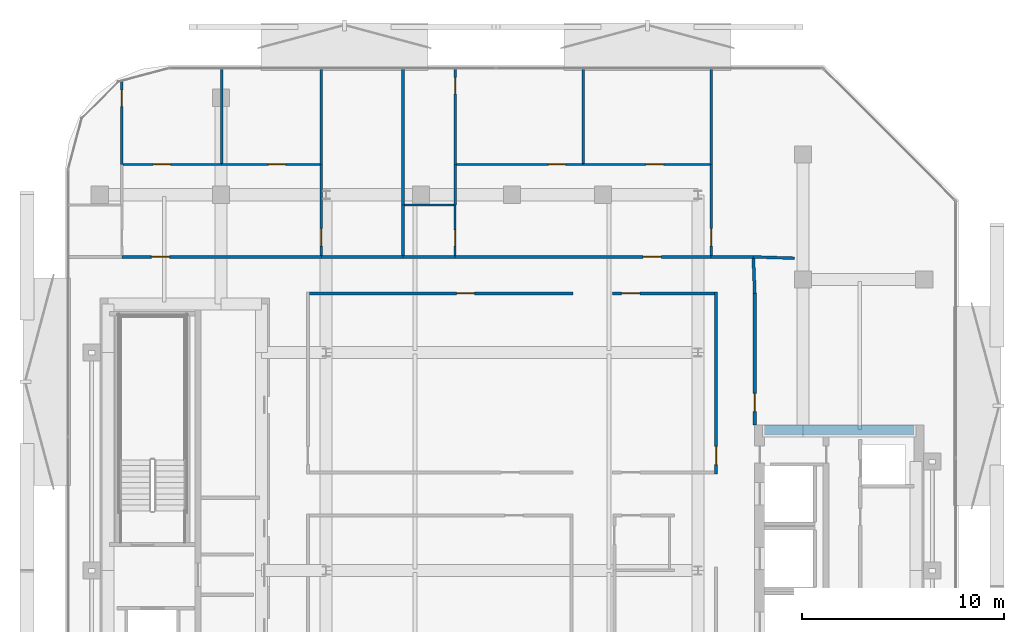
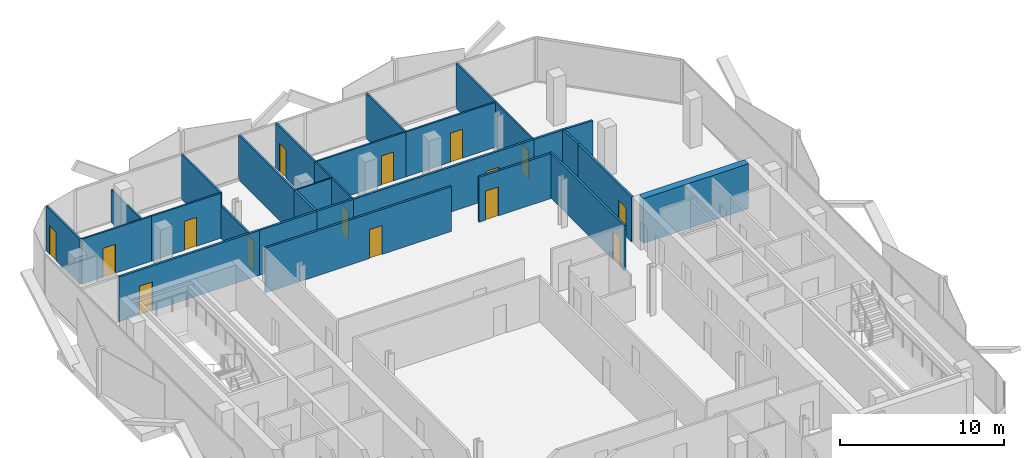
# One storey, part 6 of 15: 29 walls, 15 doors, 15 openings.
"""IFC4 building model written with IfcOpenShell, lengths in metres."""

from ifc_helpers import new_model, si_unit, direction, frame, frame_2d, origin, place, context, subcontext, project, spatial, rectangle, extrude, material, layer, layer_set, type_object, element, fill, save


model = new_model("IFC4")

# Units and contexts
model_context = context("Model", 3, precision=1e-05, world=origin(), true_north=direction((0.0, 1.0)))
body_context = subcontext(model_context, "Body", "Model", "MODEL_VIEW")
ifc_project = project(units=[si_unit("LENGTHUNIT", "METRE"), si_unit("AREAUNIT", "SQUARE_METRE"), si_unit("VOLUMEUNIT", "CUBIC_METRE"), si_unit("PLANEANGLEUNIT", "RADIAN"), si_unit("MASSUNIT", "GRAM", prefix="KILO")], contexts=[model_context])

# Site, building, storey
site_placement = place(None, origin())
site = spatial("IfcSite", under=ifc_project, at=site_placement, CompositionType="ELEMENT")
building_placement = place(site_placement, origin())
building = spatial("IfcBuilding", under=site, at=building_placement, Name="Khairoan Windgate Tower", CompositionType="ELEMENT")
storey_placement = place(building_placement, frame((0.0, 0.0, 251.199951171875)))
storey = spatial("IfcBuildingStorey", under=building, at=storey_placement, Name="L59", CompositionType="ELEMENT", Elevation=251.199951171875)

# Wall
ifc_material_1 = material(Name="Moisture-Resistant Gypsum Partition", Category="gypsum")
ifc_layer_1 = layer(ifc_material_1, 0.10009765625, Name="Moisture-Resistant Gypsum Partition")
ifc_layer_set_1 = layer_set([ifc_layer_1], Name="Moisture-Resistant Gypsum Partition")
wall_type_1 = type_object("IfcWallType", Name="Bathroom Wet-Area Partition Wall", PredefinedType="PARTITIONING", material=ifc_layer_set_1)
wall_1_placement = place(storey_placement, frame((-5.330078125, 18.10009765625, 0.0), z_axis=(0.0, 0.0, 1.0), x_axis=(1.0, 0.0, 0.0)))
element("IfcWall", 1, at=wall_1_placement, inside=storey, type_object=wall_type_1, Name="L59 Interior Partition 051", PredefinedType="PARTITIONING", context=body_context, shape_type="SweptSolid", body=[
    extrude(rectangle(XDim=2.469970703125, YDim=0.10009765625, at=frame_2d((1.23486328125, 0.0))), origin(), (0.0, 0.0, 1.0), 3.340087890625),
])

# Wall, opening, door
wall_2_placement = place(storey_placement, frame((-2.81005859375, 15.60009765625, 0.0), z_axis=(0.0, 0.0, 1.0), x_axis=(0.0, 1.0, 0.0)))
wall_2 = element("IfcWall", 2, at=wall_2_placement, inside=storey, type_object=wall_type_1, Name="L59 Interior Partition 052", PredefinedType="PARTITIONING", context=body_context, shape_type="SweptSolid", body=[
    extrude(rectangle(XDim=2.5, YDim=0.10009765625, at=frame_2d((1.25, 0.0))), origin(), (0.0, 0.0, 1.0), 3.340087890625),
])
opening_1_placement = place(wall_2_placement, frame((0.4599609375, 0.0, 0.0)))
opening_1 = element("IfcOpeningElement", 3, at=opening_1_placement, cuts=wall_2, Name="Opening ID-BTH", PredefinedType="OPENING", context=body_context, shape_type="SweptSolid", body=[
    extrude(rectangle(XDim=0.800048828125, YDim=2.10009765625, at=frame_2d((0.39990234375, 1.050048828125))), frame((0.0, 0.06005859375, 0.0), z_axis=(0.0, -1.0, 0.0), x_axis=(1.0, 0.0, 0.0)), (0.0, 0.0, 1.0), 0.1201171875),
])
ifc_material_2 = material(Name="Teak Veneer Timber Leaf", Category="wood")
door_type_1 = type_object("IfcDoorType", Name="Internal Bathroom Door ID-BTH 800x2100", OperationType="NOTDEFINED", PredefinedType="DOOR", material=ifc_material_2)
door_1_placement = place(opening_1_placement, origin())
door_1 = element("IfcDoor", 4, at=door_1_placement, inside=storey, type_object=door_type_1, Name="L59 L59-38-L59-40 Door", OperationType="SINGLE_SWING_LEFT", OverallHeight=2.10009765625, OverallWidth=0.800048828125, PredefinedType="DOOR", context=body_context, shape_type="SweptSolid", body=[
    extrude(rectangle(XDim=0.800048828125, YDim=2.10009765625, at=frame_2d((0.39990234375, 1.050048828125))), frame((0.0, 0.02490234375, 0.0), z_axis=(0.0, -1.0, 0.0), x_axis=(1.0, 0.0, 0.0)), (0.0, 0.0, 1.0), 0.050048828125),
])
fill(opening_1, door_1)

# Walls
ifc_material_3 = material(Name="Acoustic Fire-Rated Gypsum Partition", Category="gypsum")
ifc_layer_2 = layer(ifc_material_3, 0.139892578125, Name="Acoustic Fire-Rated Gypsum Partition")
ifc_layer_set_2 = layer_set([ifc_layer_2], Name="Acoustic Fire-Rated Gypsum Partition")
wall_type_2 = type_object("IfcWallType", Name="Inter-Tenancy Compartment Wall", PredefinedType="PARTITIONING", material=ifc_layer_set_2)
wall_3_placement = place(storey_placement, frame((-5.39990234375, 15.60009765625, 0.0), z_axis=(0.0, 0.0, 1.0), x_axis=(0.0, 1.0, 0.0)))
element("IfcWall", 5, at=wall_3_placement, inside=storey, type_object=wall_type_2, Name="L59 Interior Partition 048", PredefinedType="PARTITIONING", context=body_context, shape_type="SweptSolid", body=[
    extrude(rectangle(XDim=2.5, YDim=0.139892578125, at=frame_2d((1.25, 0.0))), origin(), (0.0, 0.0, 1.0), 3.340087890625),
])
wall_4_placement = place(storey_placement, frame((-5.39990234375, 18.10009765625, 0.0), z_axis=(0.0, 0.0, 1.0), x_axis=(0.0, 1.0, 0.0)))
element("IfcWall", 6, at=wall_4_placement, inside=storey, type_object=wall_type_2, Name="L59 Interior Partition 049", PredefinedType="PARTITIONING", context=body_context, shape_type="SweptSolid", body=[
    extrude(rectangle(XDim=6.7548828125, YDim=0.139892578125, at=frame_2d((3.37744140625, 0.0))), origin(), (0.0, 0.0, 1.0), 3.340087890625),
])
wall_5_placement = place(storey_placement, frame((11.93994140625, 15.52490234375, 0.0), z_axis=(0.0, 0.0, 1.0), x_axis=(0.999493701671, -0.031817295912, 0.0)))
element("IfcWall", 7, at=wall_5_placement, inside=storey, type_object=wall_type_2, Name="L59 Interior Partition 059", PredefinedType="PARTITIONING", context=body_context, shape_type="SweptSolid", body=[
    extrude(rectangle(XDim=2.041015625, YDim=0.139892578125, at=frame_2d((1.0205078125, 0.0))), origin(), (0.0, 0.0, 1.0), 3.340087890625),
])

# Wall, opening, door
ifc_material_4 = material(Name="Gypsum Stud Partition", Category="gypsum")
ifc_layer_3 = layer(ifc_material_4, 0.1201171875, Name="Gypsum Stud Partition")
ifc_layer_set_3 = layer_set([ifc_layer_3], Name="Gypsum Stud Partition")
wall_type_3 = type_object("IfcWallType", Name="Internal Room Partition Wall", PredefinedType="PARTITIONING", material=ifc_layer_set_3)
wall_6_placement = place(storey_placement, frame((-19.31005859375, 20.10009765625, 0.0), z_axis=(0.0, 0.0, 1.0), x_axis=(0.0, 1.0, 0.0)))
wall_6 = element("IfcWall", 8, at=wall_6_placement, inside=storey, type_object=wall_type_3, Name="L59 Interior Partition 043", PredefinedType="PARTITIONING", context=body_context, shape_type="SweptSolid", body=[
    extrude(rectangle(XDim=4.134521484375, YDim=0.1201171875, at=frame_2d((2.0673828125, 0.0))), origin(), (0.0, 0.0, 1.0), 3.340087890625),
])
opening_2_placement = place(wall_6_placement, frame((2.874755859375, 0.0, 0.0)))
opening_2 = element("IfcOpeningElement", 9, at=opening_2_placement, cuts=wall_6, Name="Opening ID-BTH", PredefinedType="OPENING", context=body_context, shape_type="SweptSolid", body=[
    extrude(rectangle(XDim=0.800048828125, YDim=2.10009765625, at=frame_2d((0.39990234375, 1.050048828125))), frame((0.0, 0.070068359375, 0.0), z_axis=(0.0, -1.0, 0.0), x_axis=(1.0, 0.0, 0.0)), (0.0, 0.0, 1.0), 0.14013671875),
])
door_2_placement = place(opening_2_placement, origin())
door_2 = element("IfcDoor", 10, at=door_2_placement, inside=storey, type_object=door_type_1, Name="L59 L59-33-L59-36 Door", OperationType="SINGLE_SWING_RIGHT", OverallHeight=2.10009765625, OverallWidth=0.800048828125, PredefinedType="DOOR", context=body_context, shape_type="SweptSolid", body=[
    extrude(rectangle(XDim=0.800048828125, YDim=2.10009765625, at=frame_2d((0.39990234375, 1.050048828125))), frame((0.0, 0.02490234375, 0.0), z_axis=(0.0, -1.0, 0.0), x_axis=(1.0, 0.0, 0.0)), (0.0, 0.0, 1.0), 0.050048828125),
])
fill(opening_2, door_2)

wall_7_placement = place(storey_placement, frame((-9.43994140625, 15.60009765625, 0.0), z_axis=(0.0, 0.0, 1.0), x_axis=(0.0, 1.0, 0.0)))
wall_7 = element("IfcWall", 11, at=wall_7_placement, inside=storey, type_object=wall_type_3, Name="L59 Interior Partition 044", PredefinedType="PARTITIONING", context=body_context, shape_type="SweptSolid", body=[
    extrude(rectangle(XDim=4.5, YDim=0.1201171875, at=frame_2d((2.25, 0.0))), origin(), (0.0, 0.0, 1.0), 2.43994140625),
])
opening_3_placement = place(wall_7_placement, frame((0.4599609375, 0.0, 0.0)))
opening_3 = element("IfcOpeningElement", 12, at=opening_3_placement, cuts=wall_7, Name="Opening ID-RM", PredefinedType="OPENING", context=body_context, shape_type="SweptSolid", body=[
    extrude(rectangle(XDim=0.860107421875, YDim=2.14990234375, at=frame_2d((0.43017578125, 1.074951171875))), frame((0.0, 0.070068359375, 0.0), z_axis=(0.0, -1.0, 0.0), x_axis=(1.0, 0.0, 0.0)), (0.0, 0.0, 1.0), 0.14013671875),
])
ifc_material_5 = material(Name="Teak Veneer Timber Leaf", Category="wood")
door_type_2 = type_object("IfcDoorType", Name="Internal Bedroom and Office Door ID-RM 860x2150", OperationType="NOTDEFINED", PredefinedType="DOOR", material=ifc_material_5)
door_3_placement = place(opening_3_placement, origin())
door_3 = element("IfcDoor", 13, at=door_3_placement, inside=storey, type_object=door_type_2, Name="L59 L59-34-L59-35 Door", OperationType="SINGLE_SWING_RIGHT", OverallHeight=2.14990234375, OverallWidth=0.860107421875, PredefinedType="DOOR", context=body_context, shape_type="SweptSolid", body=[
    extrude(rectangle(XDim=0.860107421875, YDim=2.14990234375, at=frame_2d((0.43017578125, 1.074951171875))), frame((0.0, 0.02490234375, 0.0), z_axis=(0.0, -1.0, 0.0), x_axis=(1.0, 0.0, 0.0)), (0.0, 0.0, 1.0), 0.050048828125),
])
fill(opening_3, door_3)

wall_8_placement = place(storey_placement, frame((-19.25, 20.10009765625, 0.0), z_axis=(0.0, 0.0, 1.0), x_axis=(1.0, 0.0, 0.0)))
wall_8 = element("IfcWall", 14, at=wall_8_placement, inside=storey, type_object=wall_type_3, Name="L59 Interior Partition 045", PredefinedType="PARTITIONING", context=body_context, shape_type="SweptSolid", body=[
    extrude(rectangle(XDim=4.875, YDim=0.1201171875, at=frame_2d((2.4375, 0.0))), origin(), (0.0, 0.0, 1.0), 3.340087890625),
])
opening_4_placement = place(wall_8_placement, frame((1.49169921875, 0.0, 0.0)))
opening_4 = element("IfcOpeningElement", 15, at=opening_4_placement, cuts=wall_8, Name="Opening ID-RM", PredefinedType="OPENING", context=body_context, shape_type="SweptSolid", body=[
    extrude(rectangle(XDim=0.860107421875, YDim=2.14990234375, at=frame_2d((0.43017578125, 1.074951171875))), frame((0.0, 0.070068359375, 0.0), z_axis=(0.0, -1.0, 0.0), x_axis=(1.0, 0.0, 0.0)), (0.0, 0.0, 1.0), 0.14013671875),
])
door_4_placement = place(opening_4_placement, origin())
door_4 = element("IfcDoor", 16, at=door_4_placement, inside=storey, type_object=door_type_2, Name="L59 L59-34-L59-36 Door", OperationType="SINGLE_SWING_LEFT", OverallHeight=2.14990234375, OverallWidth=0.860107421875, PredefinedType="DOOR", context=body_context, shape_type="SweptSolid", body=[
    extrude(rectangle(XDim=0.860107421875, YDim=2.14990234375, at=frame_2d((0.43017578125, 1.074951171875))), frame((0.0, 0.02490234375, 0.0), z_axis=(0.0, -1.0, 0.0), x_axis=(1.0, 0.0, 0.0)), (0.0, 0.0, 1.0), 0.050048828125),
])
fill(opening_4, door_4)

wall_9_placement = place(storey_placement, frame((-14.375, 20.10009765625, 0.0), z_axis=(0.0, 0.0, 1.0), x_axis=(1.0, 0.0, 0.0)))
wall_9 = element("IfcWall", 17, at=wall_9_placement, inside=storey, type_object=wall_type_3, Name="L59 Interior Partition 046", PredefinedType="PARTITIONING", context=body_context, shape_type="SweptSolid", body=[
    extrude(rectangle(XDim=4.875, YDim=0.1201171875, at=frame_2d((2.4375, 0.0))), origin(), (0.0, 0.0, 1.0), 3.340087890625),
])
opening_5_placement = place(wall_9_placement, frame((2.31689453125, 0.0, 0.0)))
opening_5 = element("IfcOpeningElement", 18, at=opening_5_placement, cuts=wall_9, Name="Opening ID-RM", PredefinedType="OPENING", context=body_context, shape_type="SweptSolid", body=[
    extrude(rectangle(XDim=0.860107421875, YDim=2.14990234375, at=frame_2d((0.43017578125, 1.074951171875))), frame((0.0, 0.070068359375, 0.0), z_axis=(0.0, -1.0, 0.0), x_axis=(1.0, 0.0, 0.0)), (0.0, 0.0, 1.0), 0.14013671875),
])
door_5_placement = place(opening_5_placement, origin())
door_5 = element("IfcDoor", 19, at=door_5_placement, inside=storey, type_object=door_type_2, Name="L59 L59-34-L59-37 Door", OperationType="SINGLE_SWING_RIGHT", OverallHeight=2.14990234375, OverallWidth=0.860107421875, PredefinedType="DOOR", context=body_context, shape_type="SweptSolid", body=[
    extrude(rectangle(XDim=0.860107421875, YDim=2.14990234375, at=frame_2d((0.43017578125, 1.074951171875))), frame((0.0, 0.02490234375, 0.0), z_axis=(0.0, -1.0, 0.0), x_axis=(1.0, 0.0, 0.0)), (0.0, 0.0, 1.0), 0.050048828125),
])
fill(opening_5, door_5)

# Walls
wall_10_placement = place(storey_placement, frame((-9.43994140625, 20.10009765625, 0.0), z_axis=(0.0, 0.0, 1.0), x_axis=(0.0, 1.0, 0.0)))
element("IfcWall", 20, at=wall_10_placement, inside=storey, type_object=wall_type_3, Name="L59 Interior Partition 047", PredefinedType="PARTITIONING", context=body_context, shape_type="SweptSolid", body=[
    extrude(rectangle(XDim=4.7548828125, YDim=0.1201171875, at=frame_2d((2.37744140625, 0.0))), origin(), (0.0, 0.0, 1.0), 3.340087890625),
])
wall_11_placement = place(storey_placement, frame((-14.375, 20.159912109375, 0.0), z_axis=(0.0, 0.0, 1.0), x_axis=(0.0, 1.0, 0.0)))
element("IfcWall", 21, at=wall_11_placement, inside=storey, type_object=wall_type_3, Name="L59 Interior Partition 050", PredefinedType="PARTITIONING", context=body_context, shape_type="SweptSolid", body=[
    extrude(rectangle(XDim=4.695068359375, YDim=0.1201171875, at=frame_2d((2.34765625, 0.0))), origin(), (0.0, 0.0, 1.0), 2.43994140625),
])
wall_12_placement = place(storey_placement, frame((-2.81005859375, 18.10009765625, 0.0), z_axis=(0.0, 0.0, 1.0), x_axis=(0.0, 1.0, 0.0)))
element("IfcWall", 22, at=wall_12_placement, inside=storey, type_object=wall_type_3, Name="L59 Interior Partition 053", PredefinedType="PARTITIONING", context=body_context, shape_type="SweptSolid", body=[
    extrude(rectangle(XDim=2.0, YDim=0.1201171875, at=frame_2d((1.0, 0.0))), origin(), (0.0, 0.0, 1.0), 3.340087890625),
])

# Wall, opening, door
wall_13_placement = place(storey_placement, frame((-2.81005859375, 20.10009765625, 0.0), z_axis=(0.0, 0.0, 1.0), x_axis=(0.0, 1.0, 0.0)))
wall_13 = element("IfcWall", 23, at=wall_13_placement, inside=storey, type_object=wall_type_3, Name="L59 Interior Partition 054", PredefinedType="PARTITIONING", context=body_context, shape_type="SweptSolid", body=[
    extrude(rectangle(XDim=4.7548828125, YDim=0.1201171875, at=frame_2d((2.37744140625, 0.0))), origin(), (0.0, 0.0, 1.0), 3.340087890625),
])
opening_6_placement = place(wall_13_placement, frame((3.4951171875, 0.0, 0.0)))
opening_6 = element("IfcOpeningElement", 24, at=opening_6_placement, cuts=wall_13, Name="Opening ID-BTH", PredefinedType="OPENING", context=body_context, shape_type="SweptSolid", body=[
    extrude(rectangle(XDim=0.800048828125, YDim=2.10009765625, at=frame_2d((0.39990234375, 1.050048828125))), frame((0.0, 0.070068359375, 0.0), z_axis=(0.0, -1.0, 0.0), x_axis=(1.0, 0.0, 0.0)), (0.0, 0.0, 1.0), 0.14013671875),
])
door_6_placement = place(opening_6_placement, origin())
door_6 = element("IfcDoor", 25, at=door_6_placement, inside=storey, type_object=door_type_1, Name="L59 L59-39-L59-42 Door", OperationType="SINGLE_SWING_LEFT", OverallHeight=2.10009765625, OverallWidth=0.800048828125, PredefinedType="DOOR", context=body_context, shape_type="SweptSolid", body=[
    extrude(rectangle(XDim=0.800048828125, YDim=2.10009765625, at=frame_2d((0.39990234375, 1.050048828125))), frame((0.0, 0.02490234375, 0.0), z_axis=(0.0, -1.0, 0.0), x_axis=(1.0, 0.0, 0.0)), (0.0, 0.0, 1.0), 0.050048828125),
])
fill(opening_6, door_6)

wall_14_placement = place(storey_placement, frame((9.860107421875, 15.60009765625, 0.0), z_axis=(0.0, 0.0, 1.0), x_axis=(0.0, 1.0, 0.0)))
wall_14 = element("IfcWall", 26, at=wall_14_placement, inside=storey, type_object=wall_type_3, Name="L59 Interior Partition 055", PredefinedType="PARTITIONING", context=body_context, shape_type="SweptSolid", body=[
    extrude(rectangle(XDim=4.5, YDim=0.1201171875, at=frame_2d((2.25, 0.0))), origin(), (0.0, 0.0, 1.0), 3.340087890625),
])
opening_7_placement = place(wall_14_placement, frame((0.4599609375, 0.0, 0.0)))
opening_7 = element("IfcOpeningElement", 27, at=opening_7_placement, cuts=wall_14, Name="Opening ID-RM", PredefinedType="OPENING", context=body_context, shape_type="SweptSolid", body=[
    extrude(rectangle(XDim=0.860107421875, YDim=2.14990234375, at=frame_2d((0.43017578125, 1.074951171875))), frame((0.0, 0.070068359375, 0.0), z_axis=(0.0, -1.0, 0.0), x_axis=(1.0, 0.0, 0.0)), (0.0, 0.0, 1.0), 0.14013671875),
])
door_7_placement = place(opening_7_placement, origin())
door_7 = element("IfcDoor", 28, at=door_7_placement, inside=storey, type_object=door_type_2, Name="L59 L59-40-L59-41 Door", OperationType="SINGLE_SWING_LEFT", OverallHeight=2.14990234375, OverallWidth=0.860107421875, PredefinedType="DOOR", context=body_context, shape_type="SweptSolid", body=[
    extrude(rectangle(XDim=0.860107421875, YDim=2.14990234375, at=frame_2d((0.43017578125, 1.074951171875))), frame((0.0, 0.02490234375, 0.0), z_axis=(0.0, -1.0, 0.0), x_axis=(1.0, 0.0, 0.0)), (0.0, 0.0, 1.0), 0.050048828125),
])
fill(opening_7, door_7)

wall_15_placement = place(storey_placement, frame((-2.75, 20.10009765625, 0.0), z_axis=(0.0, 0.0, 1.0), x_axis=(1.0, 0.0, 0.0)))
wall_15 = element("IfcWall", 29, at=wall_15_placement, inside=storey, type_object=wall_type_3, Name="L59 Interior Partition 056", PredefinedType="PARTITIONING", context=body_context, shape_type="SweptSolid", body=[
    extrude(rectangle(XDim=6.27490234375, YDim=0.1201171875, at=frame_2d((3.137451171875, 0.0))), origin(), (0.0, 0.0, 1.0), 3.340087890625),
])
opening_8_placement = place(wall_15_placement, frame((4.54638671875, 0.0, 0.0)))
opening_8 = element("IfcOpeningElement", 30, at=opening_8_placement, cuts=wall_15, Name="Opening ID-RM", PredefinedType="OPENING", context=body_context, shape_type="SweptSolid", body=[
    extrude(rectangle(XDim=0.860107421875, YDim=2.14990234375, at=frame_2d((0.43017578125, 1.074951171875))), frame((0.0, 0.070068359375, 0.0), z_axis=(0.0, -1.0, 0.0), x_axis=(1.0, 0.0, 0.0)), (0.0, 0.0, 1.0), 0.14013671875),
])
door_8_placement = place(opening_8_placement, origin())
door_8 = element("IfcDoor", 31, at=door_8_placement, inside=storey, type_object=door_type_2, Name="L59 L59-40-L59-42 Door", OperationType="SINGLE_SWING_RIGHT", OverallHeight=2.14990234375, OverallWidth=0.860107421875, PredefinedType="DOOR", context=body_context, shape_type="SweptSolid", body=[
    extrude(rectangle(XDim=0.860107421875, YDim=2.14990234375, at=frame_2d((0.43017578125, 1.074951171875))), frame((0.0, 0.02490234375, 0.0), z_axis=(0.0, -1.0, 0.0), x_axis=(1.0, 0.0, 0.0)), (0.0, 0.0, 1.0), 0.050048828125),
])
fill(opening_8, door_8)

wall_16_placement = place(storey_placement, frame((3.52490234375, 20.10009765625, 0.0), z_axis=(0.0, 0.0, 1.0), x_axis=(1.0, 0.0, 0.0)))
wall_16 = element("IfcWall", 32, at=wall_16_placement, inside=storey, type_object=wall_type_3, Name="L59 Interior Partition 057", PredefinedType="PARTITIONING", context=body_context, shape_type="SweptSolid", body=[
    extrude(rectangle(XDim=6.275146484375, YDim=0.1201171875, at=frame_2d((3.1376953125, 0.0))), origin(), (0.0, 0.0, 1.0), 3.340087890625),
])
opening_9_placement = place(wall_16_placement, frame((3.1162109375, 0.0, 0.0)))
opening_9 = element("IfcOpeningElement", 33, at=opening_9_placement, cuts=wall_16, Name="Opening ID-RM", PredefinedType="OPENING", context=body_context, shape_type="SweptSolid", body=[
    extrude(rectangle(XDim=0.860107421875, YDim=2.14990234375, at=frame_2d((0.43017578125, 1.074951171875))), frame((0.0, 0.070068359375, 0.0), z_axis=(0.0, -1.0, 0.0), x_axis=(1.0, 0.0, 0.0)), (0.0, 0.0, 1.0), 0.14013671875),
])
door_9_placement = place(opening_9_placement, origin())
door_9 = element("IfcDoor", 34, at=door_9_placement, inside=storey, type_object=door_type_2, Name="L59 L59-40-L59-43 Door", OperationType="SINGLE_SWING_LEFT", OverallHeight=2.14990234375, OverallWidth=0.860107421875, PredefinedType="DOOR", context=body_context, shape_type="SweptSolid", body=[
    extrude(rectangle(XDim=0.860107421875, YDim=2.14990234375, at=frame_2d((0.43017578125, 1.074951171875))), frame((0.0, 0.02490234375, 0.0), z_axis=(0.0, -1.0, 0.0), x_axis=(1.0, 0.0, 0.0)), (0.0, 0.0, 1.0), 0.050048828125),
])
fill(opening_9, door_9)

# Walls
wall_17_placement = place(storey_placement, frame((9.860107421875, 20.10009765625, 0.0), z_axis=(0.0, 0.0, 1.0), x_axis=(0.0, 1.0, 0.0)))
element("IfcWall", 35, at=wall_17_placement, inside=storey, type_object=wall_type_3, Name="L59 Interior Partition 058", PredefinedType="PARTITIONING", context=body_context, shape_type="SweptSolid", body=[
    extrude(rectangle(XDim=4.7548828125, YDim=0.1201171875, at=frame_2d((2.37744140625, 0.0))), origin(), (0.0, 0.0, 1.0), 3.340087890625),
])
wall_18_placement = place(storey_placement, frame((3.52490234375, 20.159912109375, 0.0), z_axis=(0.0, 0.0, 1.0), x_axis=(0.0, 1.0, 0.0)))
element("IfcWall", 36, at=wall_18_placement, inside=storey, type_object=wall_type_3, Name="L59 Interior Partition 060", PredefinedType="PARTITIONING", context=body_context, shape_type="SweptSolid", body=[
    extrude(rectangle(XDim=4.695068359375, YDim=0.1201171875, at=frame_2d((2.34765625, 0.0))), origin(), (0.0, 0.0, 1.0), 3.340087890625),
])

# Wall, opening, door
ifc_material_6 = material(Name="Acoustic Fire-Rated Gypsum Partition", Category="gypsum")
ifc_layer_4 = layer(ifc_material_6, 0.14990234375, Name="Acoustic Fire-Rated Gypsum Partition")
ifc_layer_set_4 = layer_set([ifc_layer_4], Name="Acoustic Fire-Rated Gypsum Partition")
wall_type_4 = type_object("IfcWallType", Name="Rated Corridor Partition Wall", PredefinedType="PARTITIONING", material=ifc_layer_set_4)
wall_19_placement = place(storey_placement, frame((12.014892578125, 7.199951171875, 0.0), z_axis=(0.0, 0.0, 1.0), x_axis=(0.0, 1.0, 0.0)))
wall_19 = element("IfcWall", 37, at=wall_19_placement, inside=storey, type_object=wall_type_4, Name="L59 Interior Partition 013", PredefinedType="PARTITIONING", context=body_context, shape_type="SweptSolid", body=[
    extrude(rectangle(XDim=6.52001953125, YDim=0.14990234375, at=frame_2d((3.260009765625, 0.0))), origin(), (0.0, 0.0, 1.0), 3.340087890625),
])
opening_10_placement = place(wall_19_placement, frame((0.669921875, 0.0, 0.0)))
opening_10 = element("IfcOpeningElement", 38, at=opening_10_placement, cuts=wall_19, Name="Opening FD-ENT", PredefinedType="OPENING", context=body_context, shape_type="SweptSolid", body=[
    extrude(rectangle(XDim=0.89990234375, YDim=2.14990234375, at=frame_2d((0.449951171875, 1.074951171875))), frame((0.0, 0.0849609375, 0.0), z_axis=(0.0, -1.0, 0.0), x_axis=(1.0, 0.0, 0.0)), (0.0, 0.0, 1.0), 0.169921875),
])
ifc_material_7 = material(Name="Timber Fire-Rated Core", Category="wood")
door_type_3 = type_object("IfcDoorType", Name="Unit and Office Fire Entrance Door FD-ENT 900x2150", OperationType="NOTDEFINED", PredefinedType="DOOR", material=ifc_material_7)
door_10_placement = place(opening_10_placement, origin())
door_10 = element("IfcDoor", 39, at=door_10_placement, inside=storey, type_object=door_type_3, Name="L59 L59-27-L59-58 Door", OperationType="SINGLE_SWING_RIGHT", OverallHeight=2.14990234375, OverallWidth=0.89990234375, PredefinedType="DOOR", context=body_context, shape_type="SweptSolid", body=[
    extrude(rectangle(XDim=0.89990234375, YDim=2.14990234375, at=frame_2d((0.449951171875, 1.074951171875))), frame((0.0, 0.02490234375, 0.0), z_axis=(0.0, -1.0, 0.0), x_axis=(1.0, 0.0, 0.0)), (0.0, 0.0, 1.0), 0.050048828125),
])
fill(opening_10, door_10)

wall_20_placement = place(storey_placement, frame((10.10009765625, 4.7900390625, 0.0), z_axis=(0.0, 0.0, 1.0), x_axis=(0.0, 1.0, 0.0)))
wall_20 = element("IfcWall", 40, at=wall_20_placement, inside=storey, type_object=wall_type_4, Name="L59 Interior Partition 014", PredefinedType="PARTITIONING", context=body_context, shape_type="SweptSolid", body=[
    extrude(rectangle(XDim=9.0048828125, YDim=0.14990234375, at=frame_2d((4.50244140625, 0.0))), origin(), (0.0, 0.0, 1.0), 3.340087890625),
])
opening_11_placement = place(wall_20_placement, frame((0.4599609375, 0.0, 0.0)))
opening_11 = element("IfcOpeningElement", 41, at=opening_11_placement, cuts=wall_20, Name="Opening FD-ENT", PredefinedType="OPENING", context=body_context, shape_type="SweptSolid", body=[
    extrude(rectangle(XDim=0.89990234375, YDim=2.14990234375, at=frame_2d((0.449951171875, 1.074951171875))), frame((0.0, 0.0849609375, 0.0), z_axis=(0.0, -1.0, 0.0), x_axis=(1.0, 0.0, 0.0)), (0.0, 0.0, 1.0), 0.169921875),
])
door_11_placement = place(opening_11_placement, origin())
door_11 = element("IfcDoor", 42, at=door_11_placement, inside=storey, type_object=door_type_3, Name="L59 L59-27-L59-61 Door", OperationType="SINGLE_SWING_LEFT", OverallHeight=2.14990234375, OverallWidth=0.89990234375, PredefinedType="DOOR", context=body_context, shape_type="SweptSolid", body=[
    extrude(rectangle(XDim=0.89990234375, YDim=2.14990234375, at=frame_2d((0.449951171875, 1.074951171875))), frame((0.0, 0.02490234375, 0.0), z_axis=(0.0, -1.0, 0.0), x_axis=(1.0, 0.0, 0.0)), (0.0, 0.0, 1.0), 0.050048828125),
])
fill(opening_11, door_11)

wall_21_placement = place(storey_placement, frame((-19.31005859375, 15.52490234375, 0.0), z_axis=(0.0, 0.0, 1.0), x_axis=(1.0, 0.0, 0.0)))
wall_21 = element("IfcWall", 43, at=wall_21_placement, inside=storey, type_object=wall_type_4, Name="L59 Interior Partition 024", PredefinedType="PARTITIONING", context=body_context, shape_type="SweptSolid", body=[
    extrude(rectangle(XDim=9.8701171875, YDim=0.14990234375, at=frame_2d((4.93505859375, 0.0))), origin(), (0.0, 0.0, 1.0), 3.340087890625),
])
opening_12_placement = place(wall_21_placement, frame((1.46630859375, 0.0, 0.0)))
opening_12 = element("IfcOpeningElement", 44, at=opening_12_placement, cuts=wall_21, Name="Opening FD-ENT", PredefinedType="OPENING", context=body_context, shape_type="SweptSolid", body=[
    extrude(rectangle(XDim=0.89990234375, YDim=2.14990234375, at=frame_2d((0.449951171875, 1.074951171875))), frame((0.0, 0.0849609375, 0.0), z_axis=(0.0, -1.0, 0.0), x_axis=(1.0, 0.0, 0.0)), (0.0, 0.0, 1.0), 0.169921875),
])
door_12_placement = place(opening_12_placement, origin())
door_12 = element("IfcDoor", 45, at=door_12_placement, inside=storey, type_object=door_type_3, Name="L59 L59-30-L59-34 Door", OperationType="SINGLE_SWING_RIGHT", OverallHeight=2.14990234375, OverallWidth=0.89990234375, PredefinedType="DOOR", context=body_context, shape_type="SweptSolid", body=[
    extrude(rectangle(XDim=0.89990234375, YDim=2.14990234375, at=frame_2d((0.449951171875, 1.074951171875))), frame((0.0, 0.02490234375, 0.0), z_axis=(0.0, -1.0, 0.0), x_axis=(1.0, 0.0, 0.0)), (0.0, 0.0, 1.0), 0.050048828125),
])
fill(opening_12, door_12)

# Walls
wall_22_placement = place(storey_placement, frame((-9.43994140625, 15.52490234375, 0.0), z_axis=(0.0, 0.0, 1.0), x_axis=(1.0, 0.0, 0.0)))
element("IfcWall", 46, at=wall_22_placement, inside=storey, type_object=wall_type_4, Name="L59 Interior Partition 025", PredefinedType="PARTITIONING", context=body_context, shape_type="SweptSolid", body=[
    extrude(rectangle(XDim=4.0400390625, YDim=0.14990234375, at=frame_2d((2.02001953125, 0.0))), origin(), (0.0, 0.0, 1.0), 3.340087890625),
])
wall_23_placement = place(storey_placement, frame((-5.39990234375, 15.52490234375, 0.0), z_axis=(0.0, 0.0, 1.0), x_axis=(1.0, 0.0, 0.0)))
element("IfcWall", 47, at=wall_23_placement, inside=storey, type_object=wall_type_4, Name="L59 Interior Partition 026", PredefinedType="PARTITIONING", context=body_context, shape_type="SweptSolid", body=[
    extrude(rectangle(XDim=2.58984375, YDim=0.14990234375, at=frame_2d((1.294921875, 0.0))), origin(), (0.0, 0.0, 1.0), 3.340087890625),
])

# Wall, opening, door
wall_24_placement = place(storey_placement, frame((-2.81005859375, 15.52490234375, 0.0), z_axis=(0.0, 0.0, 1.0), x_axis=(1.0, 0.0, 0.0)))
wall_24 = element("IfcWall", 48, at=wall_24_placement, inside=storey, type_object=wall_type_4, Name="L59 Interior Partition 027", PredefinedType="PARTITIONING", context=body_context, shape_type="SweptSolid", body=[
    extrude(rectangle(XDim=12.670166015625, YDim=0.14990234375, at=frame_2d((6.3349609375, 0.0))), origin(), (0.0, 0.0, 1.0), 3.340087890625),
])
opening_13_placement = place(wall_24_placement, frame((9.30078125, 0.0, 0.0)))
opening_13 = element("IfcOpeningElement", 49, at=opening_13_placement, cuts=wall_24, Name="Opening FD-ENT", PredefinedType="OPENING", context=body_context, shape_type="SweptSolid", body=[
    extrude(rectangle(XDim=0.89990234375, YDim=2.14990234375, at=frame_2d((0.449951171875, 1.074951171875))), frame((0.0, 0.0849609375, 0.0), z_axis=(0.0, -1.0, 0.0), x_axis=(1.0, 0.0, 0.0)), (0.0, 0.0, 1.0), 0.169921875),
])
door_13_placement = place(opening_13_placement, origin())
door_13 = element("IfcDoor", 50, at=door_13_placement, inside=storey, type_object=door_type_3, Name="L59 L59-30-L59-40 Door", OperationType="SINGLE_SWING_LEFT", OverallHeight=2.14990234375, OverallWidth=0.89990234375, PredefinedType="DOOR", context=body_context, shape_type="SweptSolid", body=[
    extrude(rectangle(XDim=0.89990234375, YDim=2.14990234375, at=frame_2d((0.449951171875, 1.074951171875))), frame((0.0, 0.02490234375, 0.0), z_axis=(0.0, -1.0, 0.0), x_axis=(1.0, 0.0, 0.0)), (0.0, 0.0, 1.0), 0.050048828125),
])
fill(opening_13, door_13)

# Walls
wall_25_placement = place(storey_placement, frame((9.860107421875, 15.52490234375, 0.0), z_axis=(0.0, 0.0, 1.0), x_axis=(1.0, 0.0, 0.0)))
element("IfcWall", 51, at=wall_25_placement, inside=storey, type_object=wall_type_4, Name="L59 Interior Partition 028", PredefinedType="PARTITIONING", context=body_context, shape_type="SweptSolid", body=[
    extrude(rectangle(XDim=2.079833984375, YDim=0.14990234375, at=frame_2d((1.0400390625, 0.0))), origin(), (0.0, 0.0, 1.0), 3.340087890625),
])
wall_26_placement = place(storey_placement, frame((12.014892578125, 13.719970703125, 0.0), z_axis=(0.0, 0.0, 1.0), x_axis=(-0.040046877756, 0.99919780203, 0.0)))
element("IfcWall", 52, at=wall_26_placement, inside=storey, type_object=wall_type_4, Name="L59 Interior Partition 029", PredefinedType="PARTITIONING", context=body_context, shape_type="SweptSolid", body=[
    extrude(rectangle(XDim=1.7314453125, YDim=0.14990234375, at=frame_2d((0.86572265625, 0.0))), origin(), (0.0, 0.0, 1.0), 3.340087890625),
])

# Wall, opening, door
wall_27_placement = place(storey_placement, frame((-10.02490234375, 13.719970703125, 0.0), z_axis=(0.0, 0.0, 1.0), x_axis=(1.0, 0.0, 0.0)))
wall_27 = element("IfcWall", 53, at=wall_27_placement, inside=storey, type_object=wall_type_4, Name="L59 Interior Partition 030", PredefinedType="PARTITIONING", context=body_context, shape_type="SweptSolid", body=[
    extrude(rectangle(XDim=13.054931640625, YDim=0.14990234375, at=frame_2d((6.52734375, 0.0))), origin(), (0.0, 0.0, 1.0), 3.340087890625),
])
opening_14_placement = place(wall_27_placement, frame((7.28125, 0.0, 0.0)))
opening_14 = element("IfcOpeningElement", 54, at=opening_14_placement, cuts=wall_27, Name="Opening FD-ENT", PredefinedType="OPENING", context=body_context, shape_type="SweptSolid", body=[
    extrude(rectangle(XDim=0.89990234375, YDim=2.14990234375, at=frame_2d((0.449951171875, 1.074951171875))), frame((0.0, 0.0849609375, 0.0), z_axis=(0.0, -1.0, 0.0), x_axis=(1.0, 0.0, 0.0)), (0.0, 0.0, 1.0), 0.169921875),
])
door_14_placement = place(opening_14_placement, origin())
door_14 = element("IfcDoor", 55, at=door_14_placement, inside=storey, type_object=door_type_3, Name="L59 L59-30-L59-59 Door", OperationType="SINGLE_SWING_LEFT", OverallHeight=2.14990234375, OverallWidth=0.89990234375, PredefinedType="DOOR", context=body_context, shape_type="SweptSolid", body=[
    extrude(rectangle(XDim=0.89990234375, YDim=2.14990234375, at=frame_2d((0.449951171875, 1.074951171875))), frame((0.0, 0.02490234375, 0.0), z_axis=(0.0, -1.0, 0.0), x_axis=(1.0, 0.0, 0.0)), (0.0, 0.0, 1.0), 0.050048828125),
])
fill(opening_14, door_14)

wall_28_placement = place(storey_placement, frame((4.969970703125, 13.719970703125, 0.0), z_axis=(0.0, 0.0, 1.0), x_axis=(1.0, 0.0, 0.0)))
wall_28 = element("IfcWall", 56, at=wall_28_placement, inside=storey, type_object=wall_type_4, Name="L59 Interior Partition 031", PredefinedType="PARTITIONING", context=body_context, shape_type="SweptSolid", body=[
    extrude(rectangle(XDim=5.054931640625, YDim=0.14990234375, at=frame_2d((2.52734375, 0.0))), origin(), (0.0, 0.0, 1.0), 3.340087890625),
])
opening_15_placement = place(wall_28_placement, frame((0.4599609375, 0.0, 0.0)))
opening_15 = element("IfcOpeningElement", 57, at=opening_15_placement, cuts=wall_28, Name="Opening FD-ENT", PredefinedType="OPENING", context=body_context, shape_type="SweptSolid", body=[
    extrude(rectangle(XDim=0.89990234375, YDim=2.14990234375, at=frame_2d((0.449951171875, 1.074951171875))), frame((0.0, 0.0849609375, 0.0), z_axis=(0.0, -1.0, 0.0), x_axis=(1.0, 0.0, 0.0)), (0.0, 0.0, 1.0), 0.169921875),
])
door_15_placement = place(opening_15_placement, origin())
door_15 = element("IfcDoor", 58, at=door_15_placement, inside=storey, type_object=door_type_3, Name="L59 L59-30-L59-61 Door", OperationType="SINGLE_SWING_RIGHT", OverallHeight=2.14990234375, OverallWidth=0.89990234375, PredefinedType="DOOR", context=body_context, shape_type="SweptSolid", body=[
    extrude(rectangle(XDim=0.89990234375, YDim=2.14990234375, at=frame_2d((0.449951171875, 1.074951171875))), frame((0.0, 0.02490234375, 0.0), z_axis=(0.0, -1.0, 0.0), x_axis=(1.0, 0.0, 0.0)), (0.0, 0.0, 1.0), 0.050048828125),
])
fill(opening_15, door_15)

# Wall
ifc_material_8 = material(Name="Concrete C50/60", Category="concrete")
ifc_layer_5 = layer(ifc_material_8, 0.5, Name="Concrete C50/60")
ifc_layer_set_5 = layer_set([ifc_layer_5], Name="Concrete C50/60")
wall_type_5 = type_object("IfcWallType", Name="Shear Wall CW-E3 500mm", PredefinedType="SHEAR", material=ifc_layer_set_5)
wall_29_placement = place(storey_placement, frame((12.5, 6.949951171875, 0.0), z_axis=(0.0, 0.0, 1.0), x_axis=(1.0, 0.0, 0.0)))
element("IfcWall", 59, at=wall_29_placement, inside=storey, type_object=wall_type_5, Name="E Core North Shear Wall L59", PredefinedType="SHEAR", context=body_context, shape_type="SweptSolid", body=[
    extrude(rectangle(XDim=7.39990234375, YDim=0.5, at=frame_2d((3.699951171875, 0.0))), origin(), (0.0, 0.0, 1.0), 3.340087890625),
])

save(model, "model.ifc")
